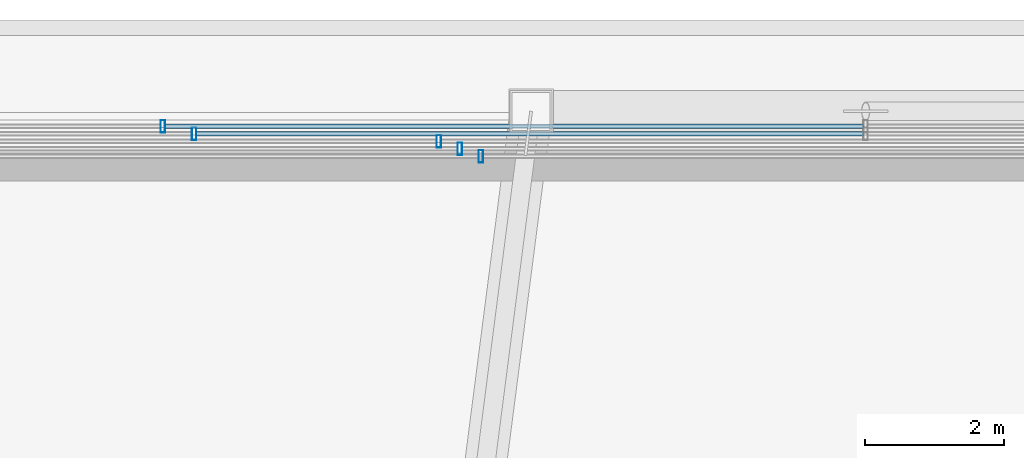
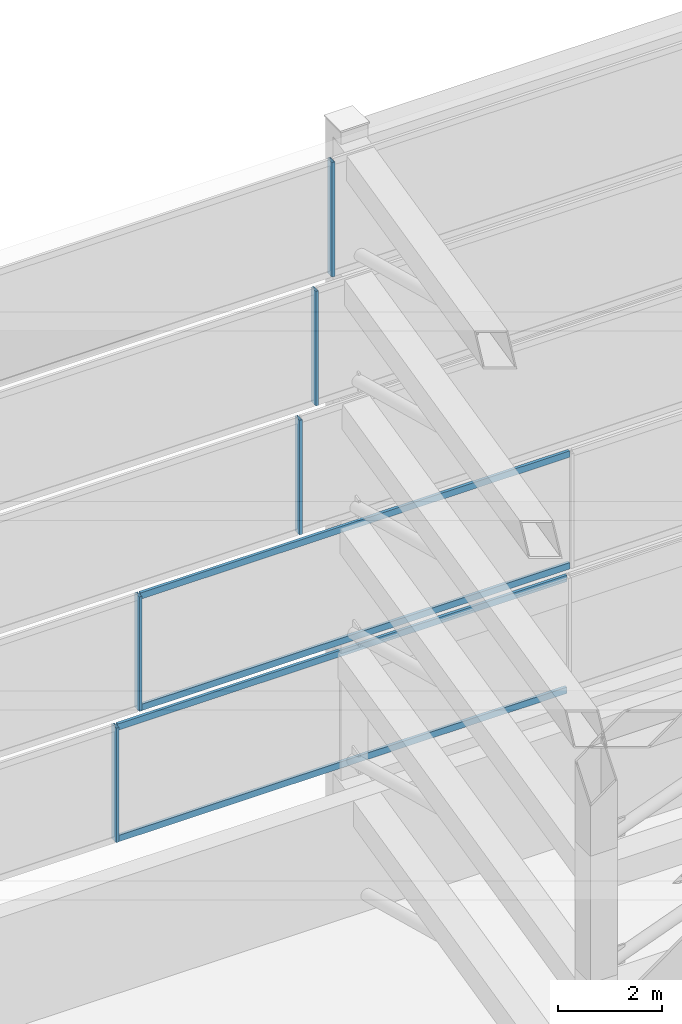
# One storey, part 14 of 29: 9 members, 5 elements without a shape of their own.
"""IFC4 building model written with IfcOpenShell, lengths in metres."""

from ifc_helpers import new_model, si_unit, direction, frame, origin, origin_2d, place, context, subcontext, project, spatial, hollow_rectangle, extrude, material, material_profile, profile_set, type_object, element, aggregate, save


model = new_model("IFC4")

# Units and contexts
model_context = context("Model", 3, precision=1e-05, world=origin(), true_north=direction((0.0, 1.0)))
body_context = subcontext(model_context, "Body", "Model", "MODEL_VIEW")
ifc_project = project(units=[si_unit("LENGTHUNIT", "METRE"), si_unit("AREAUNIT", "SQUARE_METRE"), si_unit("VOLUMEUNIT", "CUBIC_METRE"), si_unit("PLANEANGLEUNIT", "RADIAN"), si_unit("MASSUNIT", "GRAM", prefix="KILO")], contexts=[model_context])

# Site, building, storey
site_placement = place(None, origin())
site = spatial("IfcSite", under=ifc_project, at=site_placement, CompositionType="ELEMENT")
building_placement = place(site_placement, origin())
building = spatial("IfcBuilding", under=site, at=building_placement, Name="Saevonmaru Cultural Tower", CompositionType="ELEMENT")
storey_placement = place(building_placement, frame((0.0, 0.0, 327.60009765625)))
storey = spatial("IfcBuildingStorey", under=building, at=storey_placement, Name="RF", CompositionType="ELEMENT", Elevation=327.60009765625)

# Curtain wall, member
ifc_material = material(Name="Satin Bronze Anodised Aluminium", Category="aluminium")
curtain_wall_type = type_object("IfcCurtainWallType", Name="CW-TYP-B", PredefinedType="NOTDEFINED", material=ifc_material)
curtain_wall_1_placement = place(storey_placement, origin())
curtain_wall_1 = element("IfcCurtainWall", 1, at=curtain_wall_1_placement, inside=storey, type_object=curtain_wall_type, Name="RF Ziggurat Crown Tier 2 Bronze Louvre Screen 3", PredefinedType="NOTDEFINED")
ifc_material_profile_1 = material_profile(ifc_material, hollow_rectangle(XDim=0.06494140625, YDim=0.179931640625, WallThickness=0.00390625, at=origin_2d()), Name="ALU-MULL-180x65x4")
ifc_profile_set_1 = profile_set([ifc_material_profile_1], Name="Satin Bronze Anodised Aluminium")
member_type_1 = type_object("IfcMemberType", Name="ML-CW-180x65", PredefinedType="MULLION", material=ifc_profile_set_1)
member_1_placement = place(storey_placement, frame((19.91650390625, 54.583984375, 3.0), z_axis=(0.0, 0.0, 1.0), x_axis=(-1.0, 0.0, 0.0)))
member_1 = element("IfcMember", 2, at=member_1_placement, type_object=member_type_1, Name="CW-CROWN-T2-3 mullion 4", PredefinedType="MULLION", context=body_context, shape_type="SweptSolid", body=[
    extrude(hollow_rectangle(XDim=0.06494140625, YDim=0.179931640625, WallThickness=0.00390625, at=origin_2d()), origin(), (0.0, 0.0, 1.0), 2.699951171875),
])

curtain_wall_2_placement = place(storey_placement, origin())
curtain_wall_2 = element("IfcCurtainWall", 3, at=curtain_wall_2_placement, inside=storey, type_object=curtain_wall_type, Name="RF Ziggurat Crown Tier 3 Bronze Louvre Screen 3", PredefinedType="NOTDEFINED")
member_2_placement = place(storey_placement, frame((20.366455078125, 54.47607421875, 6.0), z_axis=(0.0, 0.0, 1.0), x_axis=(-1.0, 0.0, 0.0)))
member_2 = element("IfcMember", 4, at=member_2_placement, type_object=member_type_1, Name="CW-CROWN-T3-3 mullion 4", PredefinedType="MULLION", context=body_context, shape_type="SweptSolid", body=[
    extrude(hollow_rectangle(XDim=0.06494140625, YDim=0.179931640625, WallThickness=0.00390625, at=origin_2d()), origin(), (0.0, 0.0, 1.0), 2.699951171875),
])

curtain_wall_3_placement = place(storey_placement, origin())
curtain_wall_3 = element("IfcCurtainWall", 5, at=curtain_wall_3_placement, inside=storey, type_object=curtain_wall_type, Name="RF Ziggurat Crown Tier 4 Bronze Louvre Screen 3", PredefinedType="NOTDEFINED")
member_3_placement = place(storey_placement, frame((23.877685546875, 54.367919921875, 9.0), z_axis=(0.0, 0.0, 1.0), x_axis=(-1.0, 0.0, 0.0)))
member_3 = element("IfcMember", 6, at=member_3_placement, type_object=member_type_1, Name="CW-CROWN-T4-3 mullion 3", PredefinedType="MULLION", context=body_context, shape_type="SweptSolid", body=[
    extrude(hollow_rectangle(XDim=0.06494140625, YDim=0.179931640625, WallThickness=0.00390625, at=origin_2d()), origin(), (0.0, 0.0, 1.0), 2.699951171875),
])
aggregate(curtain_wall_3, [member_3])

curtain_wall_4_placement = place(storey_placement, origin())
curtain_wall_4 = element("IfcCurtainWall", 7, at=curtain_wall_4_placement, inside=storey, type_object=curtain_wall_type, Name="RF Ziggurat Crown Tier 5 Bronze Louvre Screen 3", PredefinedType="NOTDEFINED")
member_4_placement = place(storey_placement, frame((24.177734375, 54.260009765625, 12.0), z_axis=(0.0, 0.0, 1.0), x_axis=(-1.0, 0.0, 0.0)))
member_4 = element("IfcMember", 8, at=member_4_placement, type_object=member_type_1, Name="CW-CROWN-T5-3 mullion 3", PredefinedType="MULLION", context=body_context, shape_type="SweptSolid", body=[
    extrude(hollow_rectangle(XDim=0.06494140625, YDim=0.179931640625, WallThickness=0.00390625, at=origin_2d()), origin(), (0.0, 0.0, 1.0), 2.699951171875),
])
aggregate(curtain_wall_4, [member_4])

curtain_wall_5_placement = place(storey_placement, origin())
curtain_wall_5 = element("IfcCurtainWall", 9, at=curtain_wall_5_placement, inside=storey, type_object=curtain_wall_type, Name="RF Ziggurat Crown Tier 6 Bronze Louvre Screen 3", PredefinedType="NOTDEFINED")
member_5_placement = place(storey_placement, frame((24.477783203125, 54.152099609375, 15.0), z_axis=(0.0, 0.0, 1.0), x_axis=(-1.0, 0.0, 0.0)))
member_5 = element("IfcMember", 10, at=member_5_placement, type_object=member_type_1, Name="CW-CROWN-T6-3 mullion 3", PredefinedType="MULLION", context=body_context, shape_type="SweptSolid", body=[
    extrude(hollow_rectangle(XDim=0.06494140625, YDim=0.179931640625, WallThickness=0.00390625, at=origin_2d()), origin(), (0.0, 0.0, 1.0), 2.699951171875),
])
aggregate(curtain_wall_5, [member_5])

# Member
ifc_material_profile_2 = material_profile(ifc_material, hollow_rectangle(XDim=0.06494140625, YDim=0.14990234375, WallThickness=0.00390625, at=origin_2d()), Name="ALU-TRAN-150x65x4")
ifc_profile_set_2 = profile_set([ifc_material_profile_2], Name="Satin Bronze Anodised Aluminium")
member_type_2 = type_object("IfcMemberType", Name="TR-CW-150x65", PredefinedType="USERDEFINED", material=ifc_profile_set_2)
member_6_placement = place(storey_placement, frame((29.967529296875, 54.583984375, 3.032470703125), z_axis=(-1.0, 0.0, 0.0), x_axis=(0.0, -1.0, 0.0)))
member_6 = element("IfcMember", 11, at=member_6_placement, type_object=member_type_2, Name="CW-CROWN-T2-3 transom 3.1", ObjectType="TRANSOM", PredefinedType="USERDEFINED", context=body_context, shape_type="SweptSolid", body=[
    extrude(hollow_rectangle(XDim=0.06494140625, YDim=0.14990234375, WallThickness=0.00390625, at=origin_2d()), origin(), (0.0, 0.0, 1.0), 10.0185546875),
])

member_7_placement = place(storey_placement, frame((29.967529296875, 54.583984375, 5.66748046875), z_axis=(-1.0, 0.0, 0.0), x_axis=(0.0, -1.0, 0.0)))
member_7 = element("IfcMember", 12, at=member_7_placement, type_object=member_type_2, Name="CW-CROWN-T2-3 transom 3.2", ObjectType="TRANSOM", PredefinedType="USERDEFINED", context=body_context, shape_type="SweptSolid", body=[
    extrude(hollow_rectangle(XDim=0.06494140625, YDim=0.14990234375, WallThickness=0.00390625, at=origin_2d()), origin(), (0.0, 0.0, 1.0), 10.0185546875),
])

aggregate(curtain_wall_1, [member_1, member_6, member_7])

member_8_placement = place(storey_placement, frame((29.967529296875, 54.47607421875, 6.032470703125), z_axis=(-1.0, 0.0, 0.0), x_axis=(0.0, -1.0, 0.0)))
member_8 = element("IfcMember", 13, at=member_8_placement, type_object=member_type_2, Name="CW-CROWN-T3-3 transom 3.1", ObjectType="TRANSOM", PredefinedType="USERDEFINED", context=body_context, shape_type="SweptSolid", body=[
    extrude(hollow_rectangle(XDim=0.06494140625, YDim=0.14990234375, WallThickness=0.00390625, at=origin_2d()), origin(), (0.0, 0.0, 1.0), 9.568603515625),
])

member_9_placement = place(storey_placement, frame((29.967529296875, 54.47607421875, 8.66748046875), z_axis=(-1.0, 0.0, 0.0), x_axis=(0.0, -1.0, 0.0)))
member_9 = element("IfcMember", 14, at=member_9_placement, type_object=member_type_2, Name="CW-CROWN-T3-3 transom 3.2", ObjectType="TRANSOM", PredefinedType="USERDEFINED", context=body_context, shape_type="SweptSolid", body=[
    extrude(hollow_rectangle(XDim=0.06494140625, YDim=0.14990234375, WallThickness=0.00390625, at=origin_2d()), origin(), (0.0, 0.0, 1.0), 9.568603515625),
])

aggregate(curtain_wall_2, [member_2, member_8, member_9])

save(model, "model.ifc")
